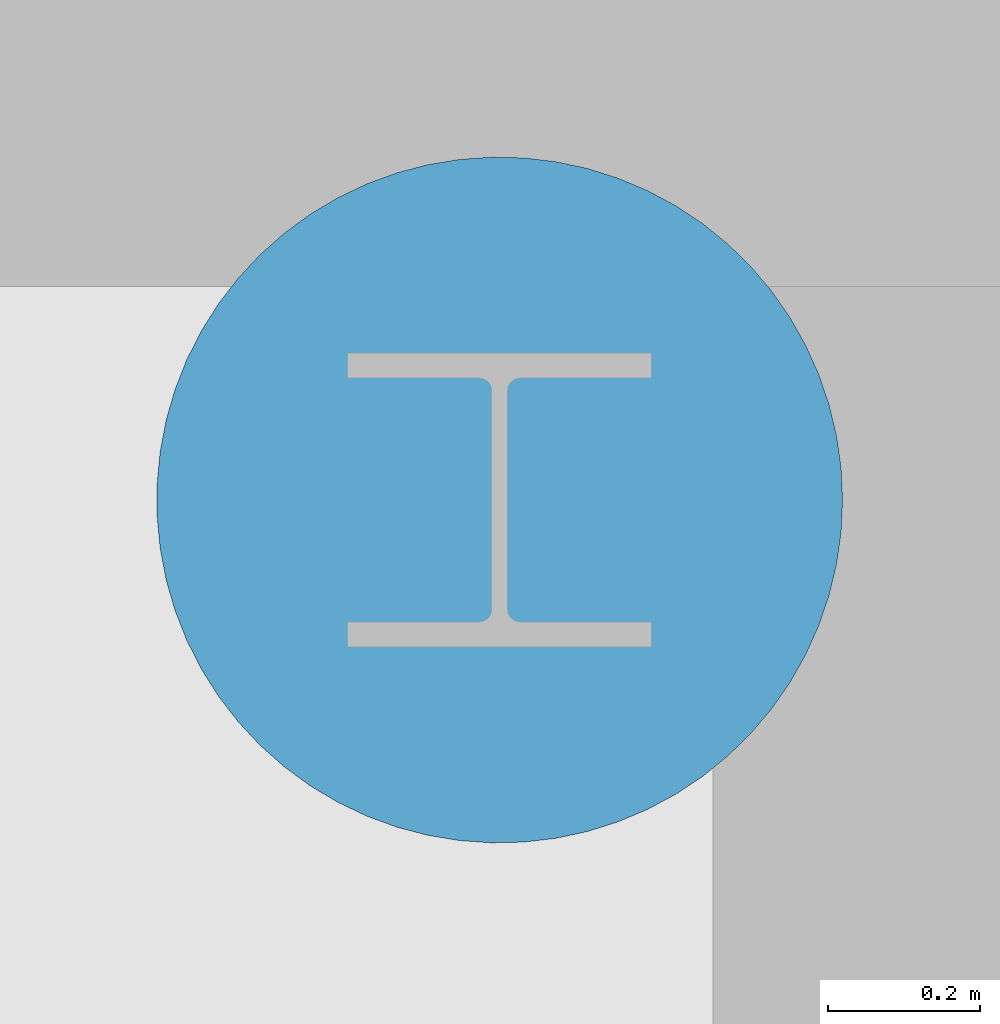
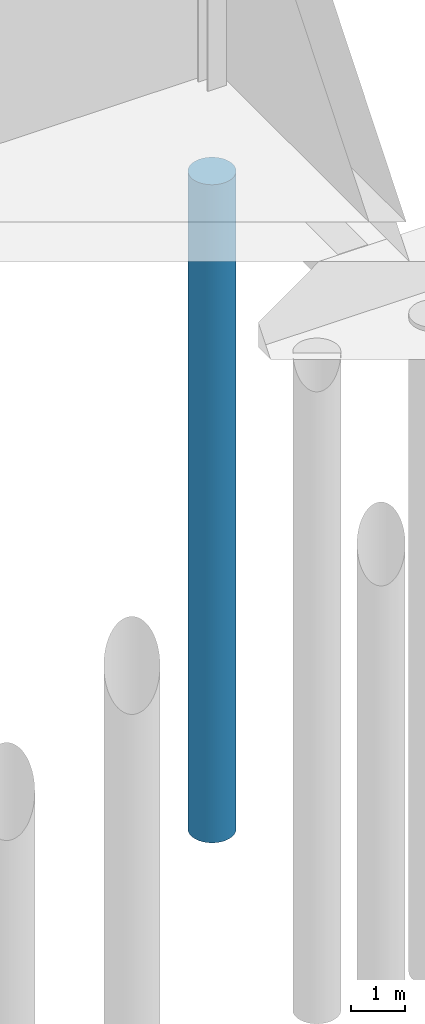
# One storey, part 15 of 60: 1 pile.
"""IFC4 building model written with IfcOpenShell, lengths in metres."""

from ifc_helpers import new_model, si_unit, direction, frame, origin, origin_2d, place, context, subcontext, project, spatial, circle, extrude, material, material_profile, profile_set, type_object, element, save


model = new_model("IFC4")

# Units and contexts
model_context = context("Model", 3, precision=1e-05, world=origin(), true_north=direction((0.0, 1.0)))
body_context = subcontext(model_context, "Body", "Model", "MODEL_VIEW")
ifc_project = project(units=[si_unit("LENGTHUNIT", "METRE"), si_unit("AREAUNIT", "SQUARE_METRE"), si_unit("VOLUMEUNIT", "CUBIC_METRE"), si_unit("PLANEANGLEUNIT", "RADIAN"), si_unit("MASSUNIT", "GRAM", prefix="KILO")], contexts=[model_context])

# Site, building, storey
site_placement = place(None, origin())
site = spatial("IfcSite", under=ifc_project, at=site_placement, CompositionType="ELEMENT")
building_placement = place(site_placement, origin())
building = spatial("IfcBuilding", under=site, at=building_placement, Name="Trimount Lyric Opera House", CompositionType="ELEMENT")
storey_placement = place(building_placement, frame((0.0, 0.0, -5.39990234375)))
storey = spatial("IfcBuildingStorey", under=building, at=storey_placement, Name="B1", CompositionType="ELEMENT", Elevation=-5.39990234375)

# Pile
ifc_material = material(Name="Concrete C40/50", Category="concrete")
ifc_material_profile = material_profile(ifc_material, circle(Radius=0.449951171875, at=origin_2d()), Name="PILE-D900")
ifc_profile_set = profile_set([ifc_material_profile], Name="Concrete C40/50")
pile_type = type_object("IfcPileType", Name="PL-900", PredefinedType="BORED", material=ifc_profile_set)
pile_placement = place(storey_placement, frame((173.280029296875, 117.280029296875, -2.0), z_axis=(0.0, 0.0, -1.0), x_axis=(1.0, 0.0, 0.0)))
element("IfcPile", 1, at=pile_placement, inside=storey, type_object=pile_type, Name="Bored pile 0760", PredefinedType="BORED", context=body_context, shape_type="SweptSolid", body=[
    extrude(circle(Radius=0.449951171875, at=origin_2d()), origin(), (0.0, 0.0, 1.0), 15.0),
])

save(model, "model.ifc")
